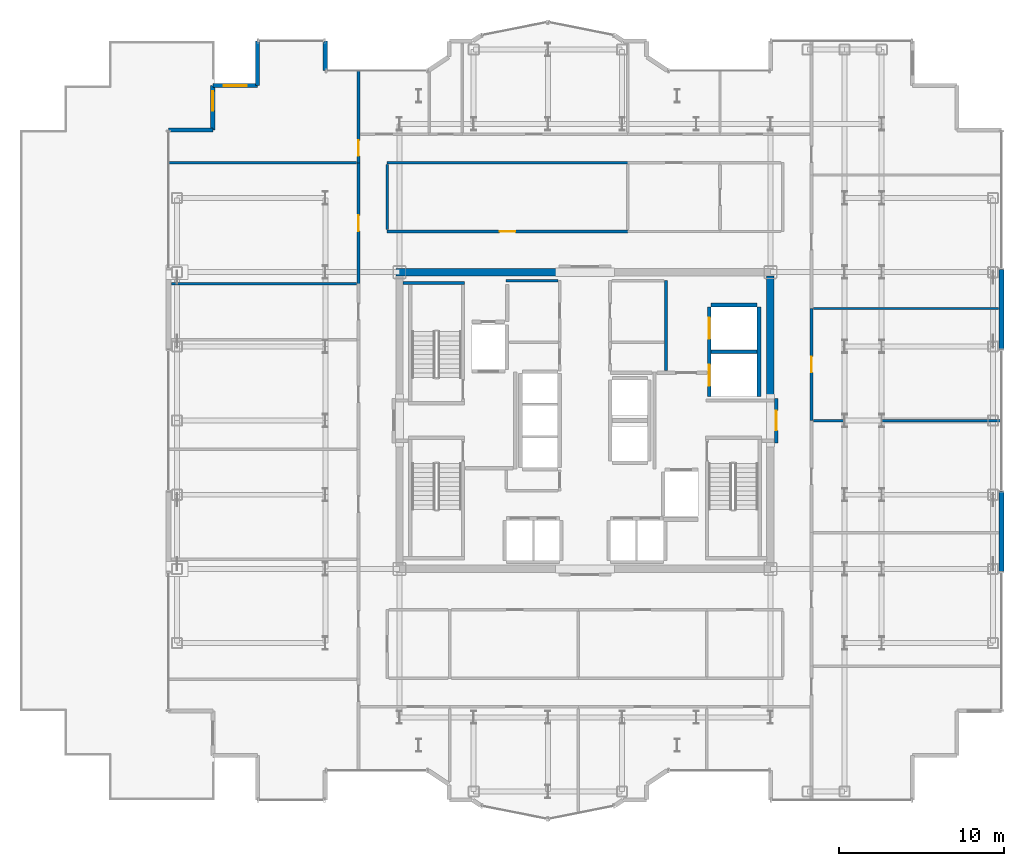
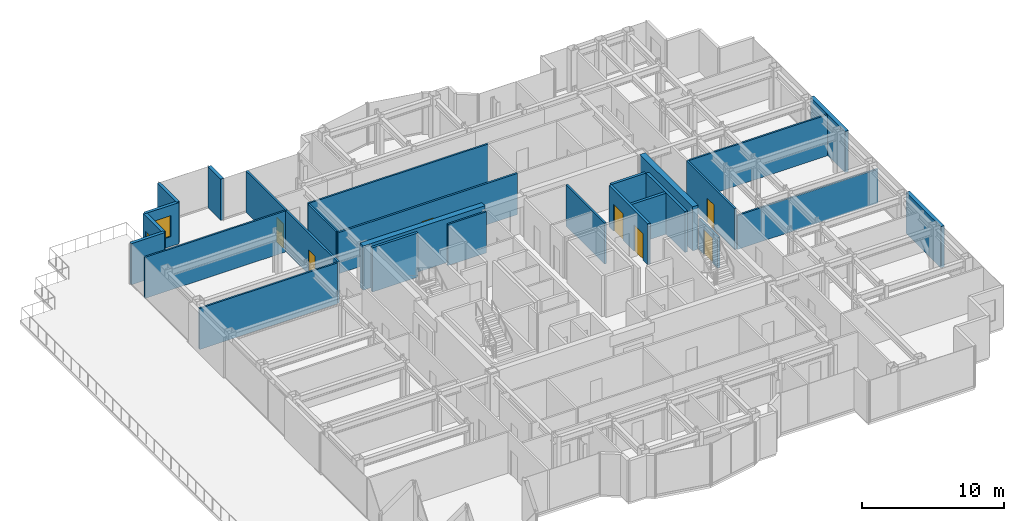
# One storey, part 17 of 21: 27 walls, 8 doors, 1 window, 9 openings.
"""IFC4 building model written with IfcOpenShell, lengths in metres."""

from ifc_helpers import new_model, si_unit, direction, frame, frame_2d, origin, place, context, subcontext, project, spatial, rectangle, extrude, source, transform, mapped, material, layer, layer_set, type_object, element, fill, save


model = new_model("IFC4")

# Units and contexts
model_context = context("Model", 3, precision=1e-05, world=origin(), true_north=direction((0.0, 1.0)))
body_context = subcontext(model_context, "Body", "Model", "MODEL_VIEW")
ifc_project = project(units=[si_unit("LENGTHUNIT", "METRE"), si_unit("AREAUNIT", "SQUARE_METRE"), si_unit("VOLUMEUNIT", "CUBIC_METRE"), si_unit("PLANEANGLEUNIT", "RADIAN"), si_unit("MASSUNIT", "GRAM", prefix="KILO")], contexts=[model_context])

# Site, building, storey
site_placement = place(None, origin())
site = spatial("IfcSite", under=ifc_project, at=site_placement, CompositionType="ELEMENT")
building_placement = place(site_placement, origin())
building = spatial("IfcBuilding", under=site, at=building_placement, Name="Nefas-Gora Pilgrimage Tower", CompositionType="ELEMENT")
storey_placement = place(building_placement, frame((0.0, 0.0, 206.60009765625)))
storey = spatial("IfcBuildingStorey", under=building, at=storey_placement, Name="L51", CompositionType="ELEMENT", Elevation=206.60009765625)

# Walls
ifc_material_1 = material(Name="Concrete C50/60", Category="concrete")
ifc_layer_1 = layer(ifc_material_1, 0.449951171875)
ifc_layer_set_1 = layer_set([ifc_layer_1], Name="Concrete C50/60")
wall_type_1 = type_object("IfcWallType", Name="SW-CORE-450", PredefinedType="SHEAR", material=ifc_layer_set_1)
shared_shape_1 = source(origin(), body_context, "Body", "SweptSolid", [
    extrude(rectangle(XDim=9.925048828125, YDim=0.449951171875, at=frame_2d((4.96240234375, 0.0))), origin(), (0.0, 0.0, 1.0), 3.7998046875),
])
wall_1_placement = place(storey_placement, frame((-11.47509765625, 9.0, 0.0), z_axis=(0.0, 0.0, 1.0), x_axis=(1.0, 0.0, 0.0)))
element("IfcWall", 1, at=wall_1_placement, inside=storey, type_object=wall_type_1, Name="L51 Core Shear Wall N-West", PredefinedType="SHEAR", context=body_context, shape_type="MappedRepresentation", body=[
    mapped(shared_shape_1, transform((0.0, 0.0, 0.0), x_axis=(1.0, 0.0, 0.0), y_axis=(0.0, 1.0, 0.0), z_axis=(0.0, 0.0, 1.0), scale=1.0)),
])
shared_shape_2 = source(origin(), body_context, "Body", "SweptSolid", [
    extrude(rectangle(XDim=7.4248046875, YDim=0.449951171875, at=frame_2d((3.71240234375, 0.0))), origin(), (0.0, 0.0, 1.0), 3.7998046875),
])
wall_2_placement = place(storey_placement, frame((11.25, 1.35009765625, 0.0), z_axis=(0.0, 0.0, 1.0), x_axis=(0.0, 1.0, 0.0)))
element("IfcWall", 2, at=wall_2_placement, inside=storey, type_object=wall_type_1, Name="L51 Core Shear Wall E-North", PredefinedType="SHEAR", context=body_context, shape_type="MappedRepresentation", body=[
    mapped(shared_shape_2, transform((0.0, 0.0, 0.0), x_axis=(1.0, 0.0, 0.0), y_axis=(0.0, 1.0, 0.0), z_axis=(0.0, 0.0, 1.0), scale=1.0)),
])
ifc_material_2 = material(Name="Precast concrete C40/50", Category="concrete")
ifc_layer_2 = layer(ifc_material_2, 0.260009765625)
ifc_layer_set_2 = layer_set([ifc_layer_2], Name="Precast concrete C40/50")
wall_type_2 = type_object("IfcWallType", Name="EW-PORTAL-260", PredefinedType="SOLIDWALL", material=ifc_layer_set_2)
shared_shape_3 = source(origin(), body_context, "Body", "SweptSolid", [
    extrude(rectangle(XDim=1.800048828125, YDim=0.260009765625, at=frame_2d((0.89990234375, 0.0))), origin(), (0.0, 0.0, 1.0), 3.5498046875),
])
wall_3_placement = place(storey_placement, frame((-15.75, 21.219970703125, 0.0), z_axis=(0.0, 0.0, 1.0), x_axis=(0.0, 1.0, 0.0)))
element("IfcWall", 3, at=wall_3_placement, inside=storey, type_object=wall_type_2, Name="L51 Lobe Shoulder Precast Spandrel Pier 23", PredefinedType="SOLIDWALL", context=body_context, shape_type="MappedRepresentation", body=[
    mapped(shared_shape_3, transform((0.0, 0.0, 0.0), x_axis=(1.0, 0.0, 0.0), y_axis=(0.0, 1.0, 0.0), z_axis=(0.0, 0.0, 1.0), scale=1.0)),
])
ifc_material_3 = material(Name="Precast concrete C45/55", Category="concrete")
ifc_layer_3 = layer(ifc_material_3, 0.239990234375)
ifc_layer_set_3 = layer_set([ifc_layer_3], Name="Precast concrete C45/55")
wall_type_3 = type_object("IfcWallType", Name="EW-SERR-240", PredefinedType="SHEAR", material=ifc_layer_set_3)
shared_shape_4 = source(origin(), body_context, "Body", "SweptSolid", [
    extrude(rectangle(XDim=2.699951171875, YDim=0.239990234375, at=frame_2d((1.35009765625, 0.0))), origin(), (0.0, 0.0, 1.0), 3.5498046875),
])
wall_4_placement = place(storey_placement, frame((-19.8701171875, 23.02001953125, 0.0), z_axis=(0.0, 0.0, 1.0), x_axis=(0.0, -1.0, 0.0)))
element("IfcWall", 4, at=wall_4_placement, inside=storey, type_object=wall_type_3, Name="L51 Serrated Corner Shear Pier Wall 24", PredefinedType="SHEAR", context=body_context, shape_type="MappedRepresentation", body=[
    mapped(shared_shape_4, transform((0.0, 0.0, 0.0), x_axis=(1.0, 0.0, 0.0), y_axis=(0.0, 1.0, 0.0), z_axis=(0.0, 0.0, 1.0), scale=1.0)),
])

# Wall, opening, window
wall_5_placement = place(storey_placement, frame((-19.8701171875, 20.320068359375, 0.0), z_axis=(0.0, 0.0, 1.0), x_axis=(-1.0, 0.0, 0.0)))
wall_5 = element("IfcWall", 5, at=wall_5_placement, inside=storey, type_object=wall_type_3, Name="L51 Serrated Corner Shear Pier Wall 25", PredefinedType="SHEAR", context=body_context, shape_type="MappedRepresentation", body=[
    mapped(shared_shape_4, transform((0.0, 0.0, 0.0), x_axis=(1.0, 0.0, 0.0), y_axis=(0.0, 1.0, 0.0), z_axis=(0.0, 0.0, 1.0), scale=1.0)),
])
opening_1_placement = place(wall_5_placement, frame((0.64990234375, 0.0, 0.85009765625)))
opening_1 = element("IfcOpeningElement", 6, at=opening_1_placement, cuts=wall_5, Name="Opening W-V2", PredefinedType="OPENING", context=body_context, shape_type="SweptSolid", body=[
    extrude(rectangle(XDim=1.39990234375, YDim=1.800048828125, at=frame_2d((0.699951171875, 0.89990234375))), frame((0.0, 0.1298828125, 0.0), z_axis=(0.0, -1.0, 0.0), x_axis=(1.0, 0.0, 0.0)), (0.0, 0.0, 1.0), 0.260009765625),
])
ifc_material_4 = material(Name="Dark ceramic-fritted operable aluminium-glass window", Category="aluminium")
window_type = type_object("IfcWindowType", Name="WIN-VENT-1400x1800", PartitioningType="SINGLE_PANEL", PredefinedType="WINDOW", material=ifc_material_4)
shared_shape_5 = source(origin(), body_context, "Body", "SweptSolid", [
    extrude(rectangle(XDim=1.39990234375, YDim=1.800048828125, at=frame_2d((0.699951171875, 0.89990234375))), frame((0.0, 0.030029296875, 0.0), z_axis=(0.0, -1.0, 0.0), x_axis=(1.0, 0.0, 0.0)), (0.0, 0.0, 1.0), 0.06005859375),
])
window_placement = place(opening_1_placement, origin())
window = element("IfcWindow", 7, at=window_placement, inside=storey, type_object=window_type, Name="L51 Operable Parallel-Outswing Window 25", OverallHeight=1.800048828125, OverallWidth=1.39990234375, PartitioningType="SINGLE_PANEL", PredefinedType="WINDOW", context=body_context, shape_type="MappedRepresentation", body=[
    mapped(shared_shape_5, transform((0.0, 0.0, 0.0), x_axis=(1.0, 0.0, 0.0), y_axis=(0.0, 1.0, 0.0), z_axis=(0.0, 0.0, 1.0), scale=1.0)),
])
fill(opening_1, window)

# Walls
wall_6_placement = place(storey_placement, frame((-22.570068359375, 17.6201171875, 0.0), z_axis=(0.0, 0.0, 1.0), x_axis=(-1.0, 0.0, 0.0)))
element("IfcWall", 8, at=wall_6_placement, inside=storey, type_object=wall_type_3, Name="L51 Serrated Corner Shear Pier Wall 27", PredefinedType="SHEAR", context=body_context, shape_type="MappedRepresentation", body=[
    mapped(shared_shape_4, transform((0.0, 0.0, 0.0), x_axis=(1.0, 0.0, 0.0), y_axis=(0.0, 1.0, 0.0), z_axis=(0.0, 0.0, 1.0), scale=1.0)),
])
shared_shape_6 = source(origin(), body_context, "Body", "SweptSolid", [
    extrude(rectangle(XDim=4.8798828125, YDim=0.300048828125, at=frame_2d((2.43994140625, 0.0))), origin(), (0.0, 0.0, 1.0), 3.5498046875),
])
for number, where, z_axis, x_axis, name in (
    (9, (25.27001953125, -9.18994140625, 0.0), (0.0, 0.0, 1.0), (0.0, 1.0, 0.0), "L51 Braced-Tube Precast Shear Cladding 3"),
    (10, (25.27001953125, 4.31005859375, 0.0), (0.0, 0.0, 1.0), (0.0, 1.0, 0.0), "L51 Braced-Tube Precast Shear Cladding 4"),
):
    element("IfcWall", number, at=place(storey_placement, frame(where, z_axis=z_axis, x_axis=x_axis)), inside=storey, type_object=wall_type_3, Name=name, PredefinedType="SHEAR", context=body_context, shape_type="MappedRepresentation", body=[
        mapped(shared_shape_6, transform((0.0, 0.0, 0.0), x_axis=(1.0, 0.0, 0.0), y_axis=(0.0, 1.0, 0.0), z_axis=(0.0, 0.0, 1.0), scale=1.0)),
    ])

# Wall, opening, door
shared_shape_7 = source(origin(), body_context, "Body", "SweptSolid", [
    extrude(rectangle(XDim=2.699951171875, YDim=0.260009765625, at=frame_2d((1.35009765625, 0.0))), origin(), (0.0, 0.0, 1.0), 3.5498046875),
])
wall_7_placement = place(storey_placement, frame((-22.570068359375, 20.320068359375, 0.0), z_axis=(0.0, 0.0, 1.0), x_axis=(0.0, -1.0, 0.0)))
wall_7 = element("IfcWall", 11, at=wall_7_placement, inside=storey, type_object=wall_type_2, Name="L51 Insulated Terrace Portal Wall 26", PredefinedType="SOLIDWALL", context=body_context, shape_type="MappedRepresentation", body=[
    mapped(shared_shape_7, transform((0.0, 0.0, 0.0), x_axis=(1.0, 0.0, 0.0), y_axis=(0.0, 1.0, 0.0), z_axis=(0.0, 0.0, 1.0), scale=1.0)),
])
opening_2_placement = place(wall_7_placement, frame((0.333984375, 0.0, 0.0)))
opening_2 = element("IfcOpeningElement", 12, at=opening_2_placement, cuts=wall_7, Name="Opening ED-S1", PredefinedType="OPENING", context=body_context, shape_type="SweptSolid", body=[
    extrude(rectangle(XDim=1.199951171875, YDim=2.199951171875, at=frame_2d((0.60009765625, 1.10009765625))), frame((0.0, 0.139892578125, 0.0), z_axis=(0.0, -1.0, 0.0), x_axis=(1.0, 0.0, 0.0)), (0.0, 0.0, 1.0), 0.280029296875),
])
ifc_material_5 = material(Name="Heavy-wind glazed aluminium sky-terrace door", Category="aluminium")
door_type_1 = type_object("IfcDoorType", Name="DR-EXT-SKY-1200", OperationType="NOTDEFINED", PredefinedType="DOOR", material=ifc_material_5)
shared_shape_8 = source(origin(), body_context, "Body", "SweptSolid", [
    extrude(rectangle(XDim=1.199951171875, YDim=2.199951171875, at=frame_2d((0.60009765625, 1.10009765625))), frame((0.0, 0.02490234375, 0.0), z_axis=(0.0, -1.0, 0.0), x_axis=(1.0, 0.0, 0.0)), (0.0, 0.0, 1.0), 0.050048828125),
])
door_1_placement = place(opening_2_placement, origin())
door_1 = element("IfcDoor", 13, at=door_1_placement, inside=storey, type_object=door_type_1, Name="L51 Exterior Door (L51 Outdoor Terrace TER-L51-1)", OperationType="SINGLE_SWING_RIGHT", OverallHeight=2.199951171875, OverallWidth=1.199951171875, PredefinedType="DOOR", context=body_context, shape_type="MappedRepresentation", body=[
    mapped(shared_shape_8, transform((0.0, 0.0, 0.0), x_axis=(1.0, 0.0, 0.0), y_axis=(0.0, 1.0, 0.0), z_axis=(0.0, 0.0, 1.0), scale=1.0)),
])
fill(opening_2, door_1)

# Wall
ifc_material_6 = material(Name="Concrete C45/55", Category="concrete")
ifc_layer_4 = layer(ifc_material_6, 0.199951171875)
ifc_layer_set_4 = layer_set([ifc_layer_4], Name="Concrete C45/55")
wall_type_4 = type_object("IfcWallType", Name="IW-STAIR-200", PredefinedType="SOLIDWALL", material=ifc_layer_set_4)
shared_shape_9 = source(origin(), body_context, "Body", "SweptSolid", [
    extrude(rectangle(XDim=3.72998046875, YDim=0.199951171875, at=frame_2d((1.864990234375, 0.0))), origin(), (0.0, 0.0, 1.0), 3.7998046875),
])
wall_8_placement = place(storey_placement, frame((-7.300048828125, 8.35009765625, 0.0), z_axis=(0.0, 0.0, 1.0), x_axis=(-1.0, 0.0, 0.0)))
element("IfcWall", 14, at=wall_8_placement, inside=storey, type_object=wall_type_4, Name="L51 Stairwell Shear Wall ST-01-far", PredefinedType="SOLIDWALL", context=body_context, shape_type="MappedRepresentation", body=[
    mapped(shared_shape_9, transform((0.0, 0.0, 0.0), x_axis=(1.0, 0.0, 0.0), y_axis=(0.0, 1.0, 0.0), z_axis=(0.0, 0.0, 1.0), scale=1.0)),
])

# Wall, openings, doors
ifc_material_7 = material(Name="Concrete C40/50", Category="concrete")
ifc_layer_5 = layer(ifc_material_7, 0.219970703125)
ifc_layer_set_5 = layer_set([ifc_layer_5], Name="Concrete C40/50")
wall_type_5 = type_object("IfcWallType", Name="IW-SHAFT-220", PredefinedType="SOLIDWALL", material=ifc_layer_set_5)
shared_shape_10 = source(origin(), body_context, "Body", "SweptSolid", [
    extrude(rectangle(XDim=5.449951171875, YDim=0.219970703125, at=frame_2d((2.72509765625, 0.0))), origin(), (0.0, 0.0, 1.0), 3.534912109375),
])
wall_9_placement = place(storey_placement, frame((7.5400390625, 6.89990234375, 0.0), z_axis=(0.0, 0.0, 1.0), x_axis=(0.0, -1.0, 0.0)))
wall_9 = element("IfcWall", 15, at=wall_9_placement, inside=storey, type_object=wall_type_5, Name="L51 Hoistway Wall SL-01-02-W", PredefinedType="SOLIDWALL", context=body_context, shape_type="MappedRepresentation", body=[
    mapped(shared_shape_10, transform((0.0, 0.0, 0.0), x_axis=(1.0, 0.0, 0.0), y_axis=(0.0, 1.0, 0.0), z_axis=(0.0, 0.0, 1.0), scale=1.0)),
])
opening_3_placement = place(wall_9_placement, frame((3.5, 0.0, 0.0)))
opening_3 = element("IfcOpeningElement", 16, at=opening_3_placement, cuts=wall_9, Name="Opening LD-SV", PredefinedType="OPENING", context=body_context, shape_type="SweptSolid", body=[
    extrude(rectangle(XDim=1.300048828125, YDim=2.300048828125, at=frame_2d((0.64990234375, 1.14990234375))), frame((0.0, 0.119873046875, 0.0), z_axis=(0.0, -1.0, 0.0), x_axis=(1.0, 0.0, 0.0)), (0.0, 0.0, 1.0), 0.239990234375),
])
opening_4_placement = place(wall_9_placement, frame((0.64990234375, 0.0, 0.0)))
opening_4 = element("IfcOpeningElement", 17, at=opening_4_placement, cuts=wall_9, Name="Opening LD-SV", PredefinedType="OPENING", context=body_context, shape_type="SweptSolid", body=[
    extrude(rectangle(XDim=1.300048828125, YDim=2.300048828125, at=frame_2d((0.64990234375, 1.14990234375))), frame((0.0, 0.119873046875, 0.0), z_axis=(0.0, -1.0, 0.0), x_axis=(1.0, 0.0, 0.0)), (0.0, 0.0, 1.0), 0.239990234375),
])
ifc_material_8 = material(Name="Heavy goods sliding lift landing door")
door_type_2 = type_object("IfcDoorType", Name="DR-LIFT-SERV-1300", OperationType="SLIDING_TO_RIGHT", PredefinedType="DOOR", material=ifc_material_8)
shared_shape_11 = source(origin(), body_context, "Body", "SweptSolid", [
    extrude(rectangle(XDim=1.300048828125, YDim=2.300048828125, at=frame_2d((0.64990234375, 1.14990234375))), frame((0.0, 0.02490234375, 0.0), z_axis=(0.0, -1.0, 0.0), x_axis=(1.0, 0.0, 0.0)), (0.0, 0.0, 1.0), 0.050048828125),
])
door_2_placement = place(opening_3_placement, origin())
door_2 = element("IfcDoor", 18, at=door_2_placement, inside=storey, type_object=door_type_2, Name="L51 Sliding Lift Landing Door SL-01", OperationType="SLIDING_TO_RIGHT", OverallHeight=2.300048828125, OverallWidth=1.300048828125, PredefinedType="DOOR", context=body_context, shape_type="MappedRepresentation", body=[
    mapped(shared_shape_11, transform((0.0, 0.0, 0.0), x_axis=(1.0, 0.0, 0.0), y_axis=(0.0, 1.0, 0.0), z_axis=(0.0, 0.0, 1.0), scale=1.0)),
])
fill(opening_3, door_2)
door_3_placement = place(opening_4_placement, origin())
door_3 = element("IfcDoor", 19, at=door_3_placement, inside=storey, type_object=door_type_2, Name="L51 Sliding Lift Landing Door SL-02", OperationType="SLIDING_TO_RIGHT", OverallHeight=2.300048828125, OverallWidth=1.300048828125, PredefinedType="DOOR", context=body_context, shape_type="MappedRepresentation", body=[
    mapped(shared_shape_11, transform((0.0, 0.0, 0.0), x_axis=(1.0, 0.0, 0.0), y_axis=(0.0, 1.0, 0.0), z_axis=(0.0, 0.0, 1.0), scale=1.0)),
])
fill(opening_4, door_3)

# Walls
wall_10_placement = place(storey_placement, frame((10.56005859375, 1.449951171875, 0.0), z_axis=(0.0, 0.0, 1.0), x_axis=(0.0, 1.0, 0.0)))
element("IfcWall", 20, at=wall_10_placement, inside=storey, type_object=wall_type_5, Name="L51 Hoistway Wall SL-01-02-E", PredefinedType="SOLIDWALL", context=body_context, shape_type="MappedRepresentation", body=[
    mapped(shared_shape_10, transform((0.0, 0.0, 0.0), x_axis=(1.0, 0.0, 0.0), y_axis=(0.0, 1.0, 0.0), z_axis=(0.0, 0.0, 1.0), scale=1.0)),
])
shared_shape_12 = source(origin(), body_context, "Body", "SweptSolid", [
    extrude(rectangle(XDim=2.780029296875, YDim=0.219970703125, at=frame_2d((1.39013671875, 0.0))), origin(), (0.0, 0.0, 1.0), 3.534912109375),
])
for number, where, z_axis, x_axis, name in (
    (21, (7.659912109375, 4.175048828125, 0.0), (0.0, 0.0, 1.0), (1.0, 0.0, 0.0), "L51 Hoistway Wall SL-01-02-DIV"),
    (22, (10.43994140625, 7.010009765625, 0.0), (0.0, 0.0, 1.0), (-1.0, 0.0, 0.0), "L51 Hoistway Wall SL-02-N"),
):
    element("IfcWall", number, at=place(storey_placement, frame(where, z_axis=z_axis, x_axis=x_axis)), inside=storey, type_object=wall_type_5, Name=name, PredefinedType="SOLIDWALL", context=body_context, shape_type="MappedRepresentation", body=[
        mapped(shared_shape_12, transform((0.0, 0.0, 0.0), x_axis=(1.0, 0.0, 0.0), y_axis=(0.0, 1.0, 0.0), z_axis=(0.0, 0.0, 1.0), scale=1.0)),
    ])
ifc_material_9 = material(Name="Gypsum twin-stud partition")
ifc_layer_6 = layer(ifc_material_9, 0.139892578125)
ifc_layer_set_6 = layer_set([ifc_layer_6], Name="Gypsum twin-stud partition")
wall_type_6 = type_object("IfcWallType", Name="IW-UNIT-140", PredefinedType="PARTITIONING", material=ifc_layer_set_6)
shared_shape_13 = source(origin(), body_context, "Body", "SweptSolid", [
    extrude(rectangle(XDim=3.150146484375, YDim=0.139892578125, at=frame_2d((1.5751953125, 0.0))), origin(), (0.0, 0.0, 1.0), 3.534912109375),
])
wall_11_placement = place(storey_placement, frame((-4.7900390625, 8.47998046875, 0.0), z_axis=(0.0, 0.0, 1.0), x_axis=(1.0, 0.0, 0.0)))
element("IfcWall", 23, at=wall_11_placement, inside=storey, type_object=wall_type_6, Name="L51 Archival Supply Store Partition Wall 21", PredefinedType="PARTITIONING", context=body_context, shape_type="MappedRepresentation", body=[
    mapped(shared_shape_13, transform((0.0, 0.0, 0.0), x_axis=(1.0, 0.0, 0.0), y_axis=(0.0, 1.0, 0.0), z_axis=(0.0, 0.0, 1.0), scale=1.0)),
])
shared_shape_14 = source(origin(), body_context, "Body", "SweptSolid", [
    extrude(rectangle(XDim=11.429931640625, YDim=0.139892578125, at=frame_2d((5.71484375, 0.0))), origin(), (0.0, 0.0, 1.0), 3.534912109375),
])
wall_12_placement = place(storey_placement, frame((-25.2900390625, 15.6474609375, 0.0), z_axis=(0.0, 0.0, 1.0), x_axis=(1.0, 0.0, 0.0)))
element("IfcWall", 24, at=wall_12_placement, inside=storey, type_object=wall_type_6, Name="L51 Pilgrim Fellowship Seminar Room Partition Wall 43", PredefinedType="PARTITIONING", context=body_context, shape_type="MappedRepresentation", body=[
    mapped(shared_shape_14, transform((0.0, 0.0, 0.0), x_axis=(1.0, 0.0, 0.0), y_axis=(0.0, 1.0, 0.0), z_axis=(0.0, 0.0, 1.0), scale=1.0)),
])
shared_shape_15 = source(origin(), body_context, "Body", "SweptSolid", [
    extrude(rectangle(XDim=11.219970703125, YDim=0.139892578125, at=frame_2d((5.60986328125, 0.0))), origin(), (0.0, 0.0, 1.0), 3.534912109375),
])
for number, where, z_axis, x_axis, name in (
    (25, (-25.080078125, 8.294921875, 0.0), (0.0, 0.0, 1.0), (1.0, 0.0, 0.0), "L51 Pastoral Chaplains Counselling Office Partition Wall 41"),
    (26, (13.860107421875, 6.794921875, 0.0), (0.0, 0.0, 1.0), (1.0, 0.0, 0.0), "L51 Pilgrim Contemplative Lounge Partition Wall 52"),
):
    element("IfcWall", number, at=place(storey_placement, frame(where, z_axis=z_axis, x_axis=x_axis)), inside=storey, type_object=wall_type_6, Name=name, PredefinedType="PARTITIONING", context=body_context, shape_type="MappedRepresentation", body=[
        mapped(shared_shape_15, transform((0.0, 0.0, 0.0), x_axis=(1.0, 0.0, 0.0), y_axis=(0.0, 1.0, 0.0), z_axis=(0.0, 0.0, 1.0), scale=1.0)),
    ])
shared_shape_16 = source(origin(), body_context, "Body", "SweptSolid", [
    extrude(rectangle(XDim=3.929931640625, YDim=0.139892578125, at=frame_2d((1.96484375, 0.0))), origin(), (0.0, 0.0, 1.0), 3.534912109375),
])
wall_13_placement = place(storey_placement, frame((-12.0, 11.590087890625, 0.0), z_axis=(0.0, 0.0, 1.0), x_axis=(0.0, 1.0, 0.0)))
element("IfcWall", 27, at=wall_13_placement, inside=storey, type_object=wall_type_6, Name="L51 Pilgrim Contemplative Lounge Partition Wall 58", PredefinedType="PARTITIONING", context=body_context, shape_type="MappedRepresentation", body=[
    mapped(shared_shape_16, transform((0.0, 0.0, 0.0), x_axis=(1.0, 0.0, 0.0), y_axis=(0.0, 1.0, 0.0), z_axis=(0.0, 0.0, 1.0), scale=1.0)),
])
ifc_material_10 = material(Name="Gypsum acoustic stud partition")
ifc_layer_7 = layer(ifc_material_10, 0.159912109375)
ifc_layer_set_7 = layer_set([ifc_layer_7], Name="Gypsum acoustic stud partition")
wall_type_7 = type_object("IfcWallType", Name="IW-CORR-160", PredefinedType="PARTITIONING", material=ifc_layer_set_7)
shared_shape_17 = source(origin(), body_context, "Body", "SweptSolid", [
    extrude(rectangle(XDim=5.449951171875, YDim=0.159912109375, at=frame_2d((2.72509765625, 0.0))), origin(), (0.0, 0.0, 1.0), 3.534912109375),
])
wall_14_placement = place(storey_placement, frame((4.919921875, 3.0400390625, 0.0), z_axis=(0.0, 0.0, 1.0), x_axis=(0.0, 1.0, 0.0)))
element("IfcWall", 28, at=wall_14_placement, inside=storey, type_object=wall_type_7, Name="L51 Service Lift Lobby West Wall Wall 17", PredefinedType="PARTITIONING", context=body_context, shape_type="MappedRepresentation", body=[
    mapped(shared_shape_17, transform((0.0, 0.0, 0.0), x_axis=(1.0, 0.0, 0.0), y_axis=(0.0, 1.0, 0.0), z_axis=(0.0, 0.0, 1.0), scale=1.0)),
])

# Wall, opening, door
ifc_material_11 = material(Name="Gypsum fire-rated shaftwall")
ifc_layer_8 = layer(ifc_material_11, 0.199951171875)
ifc_layer_set_8 = layer_set([ifc_layer_8], Name="Gypsum fire-rated shaftwall")
wall_type_8 = type_object("IfcWallType", Name="IW-FFLOB-200", PredefinedType="PARTITIONING", material=ifc_layer_set_8)
shared_shape_18 = source(origin(), body_context, "Body", "SweptSolid", [
    extrude(rectangle(XDim=2.7001953125, YDim=0.199951171875, at=frame_2d((1.35009765625, 0.0))), origin(), (0.0, 0.0, 1.0), 2.625),
])
wall_15_placement = place(storey_placement, frame((11.60009765625, -1.35009765625, 0.0), z_axis=(0.0, 0.0, 1.0), x_axis=(0.0, 1.0, 0.0)))
wall_15 = element("IfcWall", 29, at=wall_15_placement, inside=storey, type_object=wall_type_8, Name="L51 FF Lobby East Portal Wall 9", PredefinedType="PARTITIONING", context=body_context, shape_type="MappedRepresentation", body=[
    mapped(shared_shape_18, transform((0.0, 0.0, 0.0), x_axis=(1.0, 0.0, 0.0), y_axis=(0.0, 1.0, 0.0), z_axis=(0.0, 0.0, 1.0), scale=1.0)),
])
opening_5_placement = place(wall_15_placement, frame((0.75, 0.0, 0.0)))
opening_5 = element("IfcOpeningElement", 30, at=opening_5_placement, cuts=wall_15, Name="Opening ID-FF1", PredefinedType="OPENING", context=body_context, shape_type="SweptSolid", body=[
    extrude(rectangle(XDim=1.199951171875, YDim=2.14990234375, at=frame_2d((0.60009765625, 1.074951171875))), frame((0.0, 0.10986328125, 0.0), z_axis=(0.0, -1.0, 0.0), x_axis=(1.0, 0.0, 0.0)), (0.0, 0.0, 1.0), 0.219970703125),
])
ifc_material_12 = material(Name="Smoke-sealed steel firefighting lobby door", Category="steel")
door_type_3 = type_object("IfcDoorType", Name="DR-INT-FFLOB-1200", OperationType="NOTDEFINED", PredefinedType="DOOR", material=ifc_material_12)
shared_shape_19 = source(origin(), body_context, "Body", "SweptSolid", [
    extrude(rectangle(XDim=1.199951171875, YDim=2.14990234375, at=frame_2d((0.60009765625, 1.074951171875))), frame((0.0, 0.02490234375, 0.0), z_axis=(0.0, -1.0, 0.0), x_axis=(1.0, 0.0, 0.0)), (0.0, 0.0, 1.0), 0.050048828125),
])
door_4_placement = place(opening_5_placement, origin())
door_4 = element("IfcDoor", 31, at=door_4_placement, inside=storey, type_object=door_type_3, Name="L51 FF Lobby East Portal Door 3", OperationType="SINGLE_SWING_LEFT", OverallHeight=2.14990234375, OverallWidth=1.199951171875, PredefinedType="DOOR", context=body_context, shape_type="MappedRepresentation", body=[
    mapped(shared_shape_19, transform((0.0, 0.0, 0.0), x_axis=(1.0, 0.0, 0.0), y_axis=(0.0, 1.0, 0.0), z_axis=(0.0, 0.0, 1.0), scale=1.0)),
])
fill(opening_5, door_4)

shared_shape_20 = source(origin(), body_context, "Body", "SweptSolid", [
    extrude(rectangle(XDim=5.6025390625, YDim=0.159912109375, at=frame_2d((2.80126953125, 0.0))), origin(), (0.0, 0.0, 1.0), 3.534912109375),
])
wall_16_placement = place(storey_placement, frame((-13.739990234375, 15.637451171875, 0.0), z_axis=(0.0, 0.0, 1.0), x_axis=(0.0, 1.0, 0.0)))
wall_16 = element("IfcWall", 32, at=wall_16_placement, inside=storey, type_object=wall_type_7, Name="L51 Pilgrim Fellowship Seminar Room Partition Wall 42", PredefinedType="PARTITIONING", context=body_context, shape_type="MappedRepresentation", body=[
    mapped(shared_shape_20, transform((0.0, 0.0, 0.0), x_axis=(1.0, 0.0, 0.0), y_axis=(0.0, 1.0, 0.0), z_axis=(0.0, 0.0, 1.0), scale=1.0)),
])
opening_6_placement = place(wall_16_placement, frame((0.411376953125, 0.0, 0.0)))
opening_6 = element("IfcOpeningElement", 33, at=opening_6_placement, cuts=wall_16, Name="Opening ID-GR1", PredefinedType="OPENING", context=body_context, shape_type="SweptSolid", body=[
    extrude(rectangle(XDim=0.949951171875, YDim=2.10009765625, at=frame_2d((0.47509765625, 1.050048828125))), frame((0.0, 0.08984375, 0.0), z_axis=(0.0, -1.0, 0.0), x_axis=(1.0, 0.0, 0.0)), (0.0, 0.0, 1.0), 0.179931640625),
])
ifc_material_13 = material(Name="Solid core oak fire-rated guest entrance door")
door_type_4 = type_object("IfcDoorType", Name="DR-INT-GUEST-950", OperationType="NOTDEFINED", PredefinedType="DOOR", material=ifc_material_13)
shared_shape_21 = source(origin(), body_context, "Body", "SweptSolid", [
    extrude(rectangle(XDim=0.949951171875, YDim=2.10009765625, at=frame_2d((0.47509765625, 1.050048828125))), frame((0.0, 0.02490234375, 0.0), z_axis=(0.0, -1.0, 0.0), x_axis=(1.0, 0.0, 0.0)), (0.0, 0.0, 1.0), 0.050048828125),
])
door_5_placement = place(opening_6_placement, origin())
door_5 = element("IfcDoor", 34, at=door_5_placement, inside=storey, type_object=door_type_4, Name="L51 Pilgrim Fellowship Seminar Room Door 18", OperationType="SINGLE_SWING_RIGHT", OverallHeight=2.10009765625, OverallWidth=0.949951171875, PredefinedType="DOOR", context=body_context, shape_type="MappedRepresentation", body=[
    mapped(shared_shape_21, transform((0.0, 0.0, 0.0), x_axis=(1.0, 0.0, 0.0), y_axis=(0.0, 1.0, 0.0), z_axis=(0.0, 0.0, 1.0), scale=1.0)),
])
fill(opening_6, door_5)

shared_shape_22 = source(origin(), body_context, "Body", "SweptSolid", [
    extrude(rectangle(XDim=7.342529296875, YDim=0.159912109375, at=frame_2d((3.67138671875, 0.0))), origin(), (0.0, 0.0, 1.0), 3.534912109375),
])
wall_17_placement = place(storey_placement, frame((-13.739990234375, 8.294921875, 0.0), z_axis=(0.0, 0.0, 1.0), x_axis=(0.0, 1.0, 0.0)))
wall_17 = element("IfcWall", 35, at=wall_17_placement, inside=storey, type_object=wall_type_7, Name="L51 Pilgrim Fellowship Seminar Room Partition Wall 44", PredefinedType="PARTITIONING", context=body_context, shape_type="MappedRepresentation", body=[
    mapped(shared_shape_22, transform((0.0, 0.0, 0.0), x_axis=(1.0, 0.0, 0.0), y_axis=(0.0, 1.0, 0.0), z_axis=(0.0, 0.0, 1.0), scale=1.0)),
])
opening_7_placement = place(wall_17_placement, frame((3.1962890625, 0.0, 0.0)))
opening_7 = element("IfcOpeningElement", 36, at=opening_7_placement, cuts=wall_17, Name="Opening ID-GR1", PredefinedType="OPENING", context=body_context, shape_type="SweptSolid", body=[
    extrude(rectangle(XDim=0.949951171875, YDim=2.10009765625, at=frame_2d((0.47509765625, 1.050048828125))), frame((0.0, 0.08984375, 0.0), z_axis=(0.0, -1.0, 0.0), x_axis=(1.0, 0.0, 0.0)), (0.0, 0.0, 1.0), 0.179931640625),
])
door_6_placement = place(opening_7_placement, origin())
door_6 = element("IfcDoor", 37, at=door_6_placement, inside=storey, type_object=door_type_4, Name="L51 Pilgrim Fellowship Seminar Room Door 19", OperationType="SINGLE_SWING_LEFT", OverallHeight=2.10009765625, OverallWidth=0.949951171875, PredefinedType="DOOR", context=body_context, shape_type="MappedRepresentation", body=[
    mapped(shared_shape_21, transform((0.0, 0.0, 0.0), x_axis=(1.0, 0.0, 0.0), y_axis=(0.0, 1.0, 0.0), z_axis=(0.0, 0.0, 1.0), scale=1.0)),
])
fill(opening_7, door_6)

shared_shape_23 = source(origin(), body_context, "Body", "SweptSolid", [
    extrude(rectangle(XDim=6.809814453125, YDim=0.159912109375, at=frame_2d((3.40478515625, 0.0))), origin(), (0.0, 0.0, 1.0), 3.534912109375),
])
wall_18_placement = place(storey_placement, frame((13.739990234375, -0.0048828125, 0.0), z_axis=(0.0, 0.0, 1.0), x_axis=(0.0, 1.0, 0.0)))
wall_18 = element("IfcWall", 38, at=wall_18_placement, inside=storey, type_object=wall_type_7, Name="L51 Pilgrim Contemplative Lounge Partition Wall 51", PredefinedType="PARTITIONING", context=body_context, shape_type="MappedRepresentation", body=[
    mapped(shared_shape_23, transform((0.0, 0.0, 0.0), x_axis=(1.0, 0.0, 0.0), y_axis=(0.0, 1.0, 0.0), z_axis=(0.0, 0.0, 1.0), scale=1.0)),
])
opening_8_placement = place(wall_18_placement, frame((2.929931640625, 0.0, 0.0)))
opening_8 = element("IfcOpeningElement", 39, at=opening_8_placement, cuts=wall_18, Name="Opening ID-GR1", PredefinedType="OPENING", context=body_context, shape_type="SweptSolid", body=[
    extrude(rectangle(XDim=0.949951171875, YDim=2.10009765625, at=frame_2d((0.47509765625, 1.050048828125))), frame((0.0, 0.08984375, 0.0), z_axis=(0.0, -1.0, 0.0), x_axis=(1.0, 0.0, 0.0)), (0.0, 0.0, 1.0), 0.179931640625),
])
door_7_placement = place(opening_8_placement, origin())
door_7 = element("IfcDoor", 40, at=door_7_placement, inside=storey, type_object=door_type_4, Name="L51 Pilgrim Contemplative Lounge Door 23", OperationType="SINGLE_SWING_LEFT", OverallHeight=2.10009765625, OverallWidth=0.949951171875, PredefinedType="DOOR", context=body_context, shape_type="MappedRepresentation", body=[
    mapped(shared_shape_21, transform((0.0, 0.0, 0.0), x_axis=(1.0, 0.0, 0.0), y_axis=(0.0, 1.0, 0.0), z_axis=(0.0, 0.0, 1.0), scale=1.0)),
])
fill(opening_8, door_7)

# Wall
shared_shape_24 = source(origin(), body_context, "Body", "SweptSolid", [
    extrude(rectangle(XDim=11.429931640625, YDim=0.139892578125, at=frame_2d((5.71484375, 0.0))), origin(), (0.0, 0.0, 1.0), 2.9248046875),
])
wall_19_placement = place(storey_placement, frame((13.860107421875, -0.0048828125, 0.0), z_axis=(0.0, 0.0, 1.0), x_axis=(1.0, 0.0, 0.0)))
element("IfcWall", 41, at=wall_19_placement, inside=storey, type_object=wall_type_6, Name="L51 Pilgrim Contemplative Lounge Partition Wall 50", PredefinedType="PARTITIONING", context=body_context, shape_type="MappedRepresentation", body=[
    mapped(shared_shape_24, transform((0.0, 0.0, 0.0), x_axis=(1.0, 0.0, 0.0), y_axis=(0.0, 1.0, 0.0), z_axis=(0.0, 0.0, 1.0), scale=1.0)),
])

# Wall, opening, door
shared_shape_25 = source(origin(), body_context, "Body", "SweptSolid", [
    extrude(rectangle(XDim=14.614990234375, YDim=0.159912109375, at=frame_2d((7.3076171875, 0.0))), origin(), (0.0, 0.0, 1.0), 3.534912109375),
])
wall_20_placement = place(storey_placement, frame((-12.010009765625, 11.469970703125, 0.0), z_axis=(0.0, 0.0, 1.0), x_axis=(1.0, 0.0, 0.0)))
wall_20 = element("IfcWall", 42, at=wall_20_placement, inside=storey, type_object=wall_type_7, Name="L51 Pilgrim Contemplative Lounge Partition Wall 56", PredefinedType="PARTITIONING", context=body_context, shape_type="MappedRepresentation", body=[
    mapped(shared_shape_25, transform((0.0, 0.0, 0.0), x_axis=(1.0, 0.0, 0.0), y_axis=(0.0, 1.0, 0.0), z_axis=(0.0, 0.0, 1.0), scale=1.0)),
])
opening_9_placement = place(wall_20_placement, frame((6.83251953125, 0.0, 0.0)))
opening_9 = element("IfcOpeningElement", 43, at=opening_9_placement, cuts=wall_20, Name="Opening ID-GR1", PredefinedType="OPENING", context=body_context, shape_type="SweptSolid", body=[
    extrude(rectangle(XDim=0.949951171875, YDim=2.10009765625, at=frame_2d((0.47509765625, 1.050048828125))), frame((0.0, 0.08984375, 0.0), z_axis=(0.0, -1.0, 0.0), x_axis=(1.0, 0.0, 0.0)), (0.0, 0.0, 1.0), 0.179931640625),
])
door_8_placement = place(opening_9_placement, origin())
door_8 = element("IfcDoor", 44, at=door_8_placement, inside=storey, type_object=door_type_4, Name="L51 Pilgrim Contemplative Lounge Door 26", OperationType="SINGLE_SWING_RIGHT", OverallHeight=2.10009765625, OverallWidth=0.949951171875, PredefinedType="DOOR", context=body_context, shape_type="MappedRepresentation", body=[
    mapped(shared_shape_21, transform((0.0, 0.0, 0.0), x_axis=(1.0, 0.0, 0.0), y_axis=(0.0, 1.0, 0.0), z_axis=(0.0, 0.0, 1.0), scale=1.0)),
])
fill(opening_9, door_8)

# Wall
shared_shape_26 = source(origin(), body_context, "Body", "SweptSolid", [
    extrude(rectangle(XDim=14.614990234375, YDim=0.139892578125, at=frame_2d((7.3076171875, 0.0))), origin(), (0.0, 0.0, 1.0), 3.534912109375),
])
wall_21_placement = place(storey_placement, frame((-12.010009765625, 15.6298828125, 0.0), z_axis=(0.0, 0.0, 1.0), x_axis=(1.0, 0.0, 0.0)))
element("IfcWall", 45, at=wall_21_placement, inside=storey, type_object=wall_type_6, Name="L51 Pilgrim Contemplative Lounge Partition Wall 57", PredefinedType="PARTITIONING", context=body_context, shape_type="MappedRepresentation", body=[
    mapped(shared_shape_26, transform((0.0, 0.0, 0.0), x_axis=(1.0, 0.0, 0.0), y_axis=(0.0, 1.0, 0.0), z_axis=(0.0, 0.0, 1.0), scale=1.0)),
])

save(model, "model.ifc")
